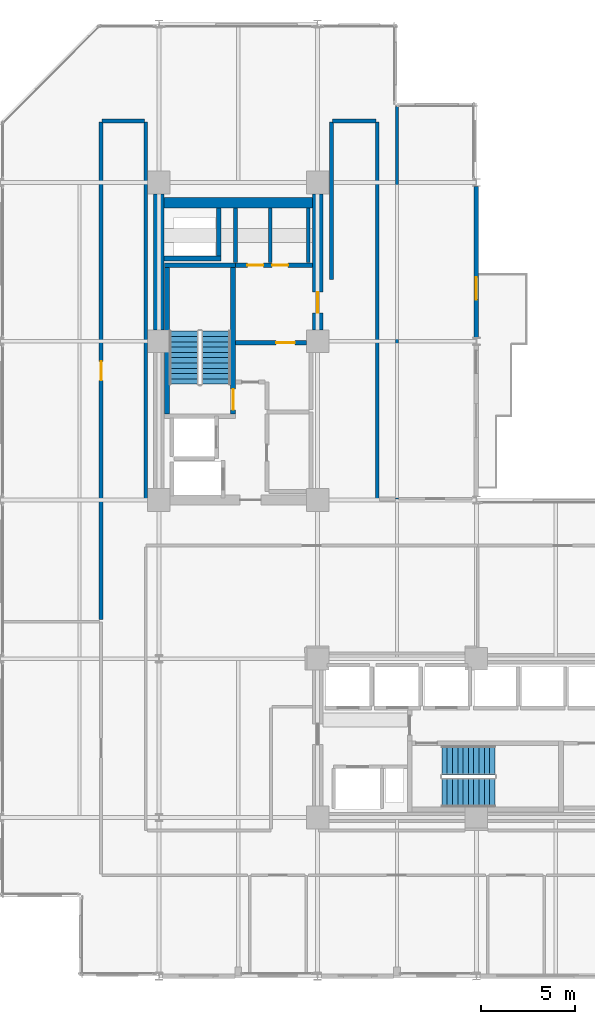
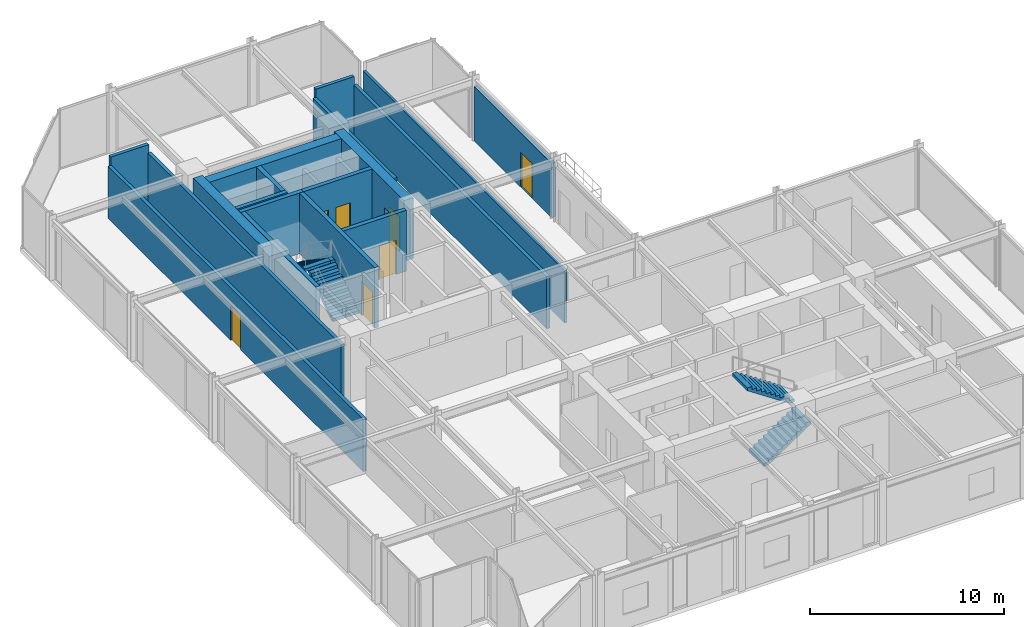
# One storey, part 26 of 29: 21 walls, 7 doors, 4 stair flights, 7 openings, 2 elements without a shape of their own.
"""IFC4 building model written with IfcOpenShell, lengths in metres."""

from ifc_helpers import new_model, si_unit, direction, frame, frame_2d, origin, place, context, subcontext, project, spatial, polyline, rectangle, outline, extrude, material, layer, layer_set, type_object, element, fill, aggregate, save


model = new_model("IFC4")

# Units and contexts
model_context = context("Model", 3, precision=1e-05, world=origin(), true_north=direction((0.0, 1.0)))
body_context = subcontext(model_context, "Body", "Model", "MODEL_VIEW")
ifc_project = project(units=[si_unit("LENGTHUNIT", "METRE"), si_unit("AREAUNIT", "SQUARE_METRE"), si_unit("VOLUMEUNIT", "CUBIC_METRE"), si_unit("PLANEANGLEUNIT", "RADIAN"), si_unit("MASSUNIT", "GRAM", prefix="KILO")], contexts=[model_context])

# Site, building, storey
site_placement = place(None, origin())
site = spatial("IfcSite", under=ifc_project, at=site_placement, CompositionType="ELEMENT")
building_placement = place(site_placement, origin())
building = spatial("IfcBuilding", under=site, at=building_placement, Name="Nerrivon Quay Data Exchange", CompositionType="ELEMENT")
storey_placement = place(building_placement, frame((0.0, 0.0, 125.39990234375)))
storey = spatial("IfcBuildingStorey", under=building, at=storey_placement, Name="L29", CompositionType="ELEMENT", Elevation=125.39990234375)

# Wall, opening, door
ifc_material_1 = material(Name="Architectural terracotta precast concrete N50 (50 MPa)", Category="masonry")
ifc_layer_1 = layer(ifc_material_1, 0.239990234375)
ifc_layer_set_1 = layer_set([ifc_layer_1], Name="Architectural terracotta precast concrete N50 (50 MPa)")
wall_type_1 = type_object("IfcWallType", Name="EW-PREC-240", PredefinedType="STANDARD", material=ifc_layer_set_1)
wall_1_placement = place(storey_placement, frame((25.199951171875, 41.800048828125, 0.0), z_axis=(0.0, 0.0, 1.0), x_axis=(0.0, -1.0, 0.0)))
wall_1 = element("IfcWall", 1, at=wall_1_placement, inside=storey, type_object=wall_type_1, Name="L29 Terrace Host Wall 24", PredefinedType="STANDARD", context=body_context, shape_type="SweptSolid", body=[
    extrude(rectangle(XDim=8.0, YDim=0.239990234375, at=frame_2d((4.0, 0.0))), origin(), (0.0, 0.0, 1.0), 3.422119140625),
])
opening_1_placement = place(wall_1_placement, frame((4.800048828125, 0.0, 0.0)))
opening_1 = element("IfcOpeningElement", 2, at=opening_1_placement, cuts=wall_1, Name="Opening TD1", PredefinedType="OPENING", context=body_context, shape_type="SweptSolid", body=[
    extrude(rectangle(XDim=1.199951171875, YDim=2.199951171875, at=frame_2d((0.60009765625, 1.10009765625))), frame((0.0, 0.1298828125, 0.0), z_axis=(0.0, -1.0, 0.0), x_axis=(1.0, 0.0, 0.0)), (0.0, 0.0, 1.0), 0.260009765625),
])
ifc_material_2 = material(Name="Double-glazed low-E solar control glass", Category="glass")
door_type_1 = type_object("IfcDoorType", Name="DR-TERR-1200x2200", OperationType="NOTDEFINED", PredefinedType="DOOR", material=ifc_material_2)
door_1_placement = place(opening_1_placement, origin())
door_1 = element("IfcDoor", 3, at=door_1_placement, inside=storey, type_object=door_type_1, Name="L29 Outdoor Terrace Access Door 24", OperationType="SINGLE_SWING_LEFT", OverallHeight=2.199951171875, OverallWidth=1.199951171875, PredefinedType="DOOR", context=body_context, shape_type="SweptSolid", body=[
    extrude(rectangle(XDim=1.199951171875, YDim=2.199951171875, at=frame_2d((0.60009765625, 1.10009765625))), frame((0.0, 0.02490234375, 0.0), z_axis=(0.0, -1.0, 0.0), x_axis=(1.0, 0.0, 0.0)), (0.0, 0.0, 1.0), 0.050048828125),
])
fill(opening_1, door_1)

# Walls
ifc_material_3 = material(Name="Concrete S65 (65 MPa)", Category="concrete")
ifc_layer_2 = layer(ifc_material_3, 0.550048828125)
ifc_layer_set_2 = layer_set([ifc_layer_2], Name="Concrete S65 (65 MPa)")
wall_type_2 = type_object("IfcWallType", Name="WALL-CW-700", PredefinedType="SHEAR", material=ifc_layer_set_2)
wall_2_placement = place(storey_placement, frame((8.39990234375, 34.199951171875, 0.0), z_axis=(0.0, 0.0, 1.0), x_axis=(0.0, 1.0, 0.0)))
element("IfcWall", 4, at=wall_2_placement, inside=storey, type_object=wall_type_2, Name="L29 West Split-Core Shear Wall WCW-W2", PredefinedType="SHEAR", context=body_context, shape_type="SweptSolid", body=[
    extrude(rectangle(XDim=7.199951171875, YDim=0.550048828125, at=frame_2d((3.60009765625, 0.0))), origin(), (0.0, 0.0, 1.0), 3.8251953125),
])
wall_3_placement = place(storey_placement, frame((8.675048828125, 40.925048828125, 0.0), z_axis=(0.0, 0.0, 1.0), x_axis=(1.0, 0.0, 0.0)))
element("IfcWall", 5, at=wall_3_placement, inside=storey, type_object=wall_type_2, Name="L29 West Split-Core Shear Wall WCW-N1", PredefinedType="SHEAR", context=body_context, shape_type="SweptSolid", body=[
    extrude(rectangle(XDim=7.849853515625, YDim=0.550048828125, at=frame_2d((3.9248046875, 0.0))), origin(), (0.0, 0.0, 1.0), 3.8251953125),
])

# Wall, opening, door
wall_4_placement = place(storey_placement, frame((16.800048828125, 34.199951171875, 0.0), z_axis=(0.0, 0.0, 1.0), x_axis=(0.0, 1.0, 0.0)))
wall_4 = element("IfcWall", 6, at=wall_4_placement, inside=storey, type_object=wall_type_2, Name="L29 West Split-Core Shear Wall WCW-E1", PredefinedType="SHEAR", context=body_context, shape_type="SweptSolid", body=[
    extrude(rectangle(XDim=7.199951171875, YDim=0.550048828125, at=frame_2d((3.60009765625, 0.0))), origin(), (0.0, 0.0, 1.0), 3.8251953125),
])
opening_2_placement = place(wall_4_placement, frame((0.89990234375, 0.0, 0.0)))
opening_2 = element("IfcOpeningElement", 7, at=opening_2_placement, cuts=wall_4, Name="Opening FD-120", PredefinedType="OPENING", context=body_context, shape_type="SweptSolid", body=[
    extrude(rectangle(XDim=1.10009765625, YDim=2.14990234375, at=frame_2d((0.550048828125, 1.074951171875))), frame((0.0, 0.284912109375, 0.0), z_axis=(0.0, -1.0, 0.0), x_axis=(1.0, 0.0, 0.0)), (0.0, 0.0, 1.0), 0.570068359375),
])
ifc_material_4 = material(Name="Powder-coated galvanized steel sheet", Category="steel")
door_type_2 = type_object("IfcDoorType", Name="DR-FD120-1100", OperationType="NOTDEFINED", PredefinedType="DOOR", material=ifc_material_4)
door_2_placement = place(opening_2_placement, origin())
door_2 = element("IfcDoor", 8, at=door_2_placement, inside=storey, type_object=door_type_2, Name="L29 West Core Lobby Fire Door", OperationType="SINGLE_SWING_RIGHT", OverallHeight=2.14990234375, OverallWidth=1.10009765625, PredefinedType="DOOR", context=body_context, shape_type="SweptSolid", body=[
    extrude(rectangle(XDim=1.10009765625, YDim=2.14990234375, at=frame_2d((0.550048828125, 1.074951171875))), frame((0.0, 0.02490234375, 0.0), z_axis=(0.0, -1.0, 0.0), x_axis=(1.0, 0.0, 0.0)), (0.0, 0.0, 1.0), 0.050048828125),
])
fill(opening_2, door_2)

# Walls
ifc_material_5 = material(Name="Gypsum plasterboard on cold-formed framing", Category="gypsum")
ifc_layer_3 = layer(ifc_material_5, 0.199951171875)
ifc_layer_set_3 = layer_set([ifc_layer_3], Name="Gypsum plasterboard on cold-formed framing")
wall_type_3 = type_object("IfcWallType", Name="WALL-FW-200", PredefinedType="PARTITIONING", material=ifc_layer_set_3)
for number, where, z_axis, x_axis, name in (
    (9, (14.300048828125, 37.780029296875, 0.0), (0.0, 0.0, 1.0), (0.0, 1.0, 0.0), "L29 Partition Cleaners Store"),
    (10, (12.449951171875, 40.64599609375, 0.0), (0.0, 0.0, 1.0), (0.0, -1.0, 0.0), "L29 Partition Cleaners Store"),
    (11, (16.300048828125, 37.780029296875, 0.0), (0.0, 0.0, 1.0), (0.0, 1.0, 0.0), "L29 Partition Janitor Closet"),
):
    element("IfcWall", number, at=place(storey_placement, frame(where, z_axis=z_axis, x_axis=x_axis)), inside=storey, type_object=wall_type_3, Name=name, PredefinedType="PARTITIONING", context=body_context, shape_type="SweptSolid", body=[
        extrude(rectangle(XDim=2.865966796875, YDim=0.199951171875, at=frame_2d((1.43310546875, 0.0))), origin(), (0.0, 0.0, 1.0), 2.72509765625),
    ])
wall_5_placement = place(storey_placement, frame((19.9599609375, 45.199951171875, 0.0), z_axis=(0.0, 0.0, 1.0), x_axis=(0.0, -1.0, 0.0)))
element("IfcWall", 12, at=wall_5_placement, inside=storey, type_object=wall_type_3, Name="L29 Partition Colocation Data Workspace 1", PredefinedType="PARTITIONING", context=body_context, shape_type="SweptSolid", body=[
    extrude(rectangle(XDim=19.93994140625, YDim=0.199951171875, at=frame_2d((9.969970703125, 0.0))), origin(), (0.0, 0.0, 1.0), 3.2919921875),
])

# Wall, opening, door
wall_6_placement = place(storey_placement, frame((5.340087890625, 18.8671875, 0.0), z_axis=(0.0, 0.0, 1.0), x_axis=(0.0, 1.0, 0.0)))
wall_6 = element("IfcWall", 13, at=wall_6_placement, inside=storey, type_object=wall_type_3, Name="L29 Partition Colocation Data Workspace 1", PredefinedType="PARTITIONING", context=body_context, shape_type="SweptSolid", body=[
    extrude(rectangle(XDim=26.332763671875, YDim=0.199951171875, at=frame_2d((13.16650390625, 0.0))), origin(), (0.0, 0.0, 1.0), 3.2919921875),
])
opening_3_placement = place(wall_6_placement, frame((12.66650390625, 0.0, 0.0)))
opening_3 = element("IfcOpeningElement", 14, at=opening_3_placement, cuts=wall_6, Name="Opening FD-60", PredefinedType="OPENING", context=body_context, shape_type="SweptSolid", body=[
    extrude(rectangle(XDim=1.0, YDim=2.14990234375, at=frame_2d((0.5, 1.074951171875))), frame((0.0, 0.10986328125, 0.0), z_axis=(0.0, -1.0, 0.0), x_axis=(1.0, 0.0, 0.0)), (0.0, 0.0, 1.0), 0.219970703125),
])
ifc_material_6 = material(Name="Engineered hardwood timber", Category="wood")
door_type_3 = type_object("IfcDoorType", Name="DR-FD60-1000", OperationType="NOTDEFINED", PredefinedType="DOOR", material=ifc_material_6)
door_3_placement = place(opening_3_placement, origin())
door_3 = element("IfcDoor", 15, at=door_3_placement, inside=storey, type_object=door_type_3, Name="L29 Door Colocation Data Workspace 1", OperationType="SINGLE_SWING_RIGHT", OverallHeight=2.14990234375, OverallWidth=1.0, PredefinedType="DOOR", context=body_context, shape_type="SweptSolid", body=[
    extrude(rectangle(XDim=1.0, YDim=2.14990234375, at=frame_2d((0.5, 1.074951171875))), frame((0.0, 0.02490234375, 0.0), z_axis=(0.0, -1.0, 0.0), x_axis=(1.0, 0.0, 0.0)), (0.0, 0.0, 1.0), 0.050048828125),
])
fill(opening_3, door_3)

# Walls
wall_7_placement = place(storey_placement, frame((5.39990234375, 45.260009765625, 0.0), z_axis=(0.0, 0.0, 1.0), x_axis=(1.0, 0.0, 0.0)))
element("IfcWall", 16, at=wall_7_placement, inside=storey, type_object=wall_type_3, Name="L29 Partition Colocation Data Workspace 1", PredefinedType="PARTITIONING", context=body_context, shape_type="SweptSolid", body=[
    extrude(rectangle(XDim=2.25, YDim=0.199951171875, at=frame_2d((1.125, 0.0))), origin(), (0.0, 0.0, 1.0), 3.8251953125),
])
wall_8_placement = place(storey_placement, frame((7.709716796875, 45.205810546875, 0.0), z_axis=(0.0, 0.0, 1.0), x_axis=(1.2240202e-05, -0.999999999925, 0.0)))
element("IfcWall", 17, at=wall_8_placement, inside=storey, type_object=wall_type_3, Name="L29 Partition Colocation Data Workspace 1", PredefinedType="PARTITIONING", context=body_context, shape_type="SweptSolid", body=[
    extrude(rectangle(XDim=19.94580078125, YDim=0.199951171875, at=frame_2d((9.972900390625, 0.0))), origin(), (0.0, 0.0, 1.0), 3.2919921875),
])
wall_9_placement = place(storey_placement, frame((17.5400390625, 36.860107421875, 0.0), z_axis=(0.0, 0.0, 1.0), x_axis=(0.0, 1.0, 0.0)))
element("IfcWall", 18, at=wall_9_placement, inside=storey, type_object=wall_type_3, Name="L29 Partition Colocation Data Workspace 1", PredefinedType="PARTITIONING", context=body_context, shape_type="SweptSolid", body=[
    extrude(rectangle(XDim=8.33984375, YDim=0.199951171875, at=frame_2d((4.169921875, 0.0))), origin(), (0.0, 0.0, 1.0), 3.2919921875),
])
wall_10_placement = place(storey_placement, frame((17.60009765625, 45.260009765625, 0.0), z_axis=(0.0, 0.0, 1.0), x_axis=(1.0, 0.0, 0.0)))
element("IfcWall", 19, at=wall_10_placement, inside=storey, type_object=wall_type_3, Name="L29 Partition Colocation Data Workspace 1", PredefinedType="PARTITIONING", context=body_context, shape_type="SweptSolid", body=[
    extrude(rectangle(XDim=2.2998046875, YDim=0.199951171875, at=frame_2d((1.14990234375, 0.0))), origin(), (0.0, 0.0, 1.0), 3.8251953125),
])
ifc_layer_4 = layer(ifc_material_5, 0.14990234375)
ifc_layer_set_4 = layer_set([ifc_layer_4], Name="Gypsum plasterboard on cold-formed framing")
wall_type_4 = type_object("IfcWallType", Name="WALL-PT-150", PredefinedType="PARTITIONING", material=ifc_layer_set_4)
wall_11_placement = place(storey_placement, frame((21.0, 46.031005859375, 0.0), z_axis=(0.0, 0.0, 1.0), x_axis=(0.0, -1.0, 0.0)))
element("IfcWall", 20, at=wall_11_placement, inside=storey, type_object=wall_type_4, Name="L29 Partition Technical Library", PredefinedType="PARTITIONING", context=body_context, shape_type="SweptSolid", body=[
    extrude(rectangle(XDim=20.77099609375, YDim=0.14990234375, at=frame_2d((10.385498046875, 0.0))), origin(), (0.0, 0.0, 1.0), 3.2919921875),
])
ifc_material_7 = material(Name="Concrete N50 (50 MPa)", Category="concrete")
ifc_layer_5 = layer(ifc_material_7, 0.25)
ifc_layer_set_5 = layer_set([ifc_layer_5], Name="Concrete N50 (50 MPa)")
wall_type_5 = type_object("IfcWallType", Name="WALL-SW-250", PredefinedType="SHEAR", material=ifc_layer_set_5)
wall_12_placement = place(storey_placement, frame((12.449951171875, 37.625, 0.0), z_axis=(0.0, 0.0, 1.0), x_axis=(-1.0, 0.0, 0.0)))
element("IfcWall", 21, at=wall_12_placement, inside=storey, type_object=wall_type_5, Name="L29 ST01 Structural Stair Core Wall FAR", PredefinedType="SHEAR", context=body_context, shape_type="SweptSolid", body=[
    extrude(rectangle(XDim=3.75, YDim=0.25, at=frame_2d((1.875, 0.0))), origin(), (0.0, 0.0, 1.0), 3.8251953125),
])

# Wall, opening, door
wall_13_placement = place(storey_placement, frame((12.324951171875, 29.75, 0.0), z_axis=(0.0, 0.0, 1.0), x_axis=(0.0, 1.0, 0.0)))
wall_13 = element("IfcWall", 22, at=wall_13_placement, inside=storey, type_object=wall_type_5, Name="L29 ST01 Structural Stair Core Wall LEFT", PredefinedType="SHEAR", context=body_context, shape_type="SweptSolid", body=[
    extrude(rectangle(XDim=7.75, YDim=0.25, at=frame_2d((3.875, 0.0))), origin(), (0.0, 0.0, 1.0), 3.8251953125),
])
opening_4_placement = place(wall_13_placement, frame((0.219970703125, 0.0, 0.0)))
opening_4 = element("IfcOpeningElement", 23, at=opening_4_placement, cuts=wall_13, Name="Opening FD-120", PredefinedType="OPENING", context=body_context, shape_type="SweptSolid", body=[
    extrude(rectangle(XDim=1.10009765625, YDim=2.14990234375, at=frame_2d((0.550048828125, 1.074951171875))), frame((0.0, 0.135009765625, 0.0), z_axis=(0.0, -1.0, 0.0), x_axis=(1.0, 0.0, 0.0)), (0.0, 0.0, 1.0), 0.27001953125),
])
door_4_placement = place(opening_4_placement, origin())
door_4 = element("IfcDoor", 24, at=door_4_placement, inside=storey, type_object=door_type_2, Name="L29 Protected Stair Door ST01", OperationType="SINGLE_SWING_RIGHT", OverallHeight=2.14990234375, OverallWidth=1.10009765625, PredefinedType="DOOR", context=body_context, shape_type="SweptSolid", body=[
    extrude(rectangle(XDim=1.10009765625, YDim=2.14990234375, at=frame_2d((0.550048828125, 1.074951171875))), frame((0.0, 0.02490234375, 0.0), z_axis=(0.0, -1.0, 0.0), x_axis=(1.0, 0.0, 0.0)), (0.0, 0.0, 1.0), 0.050048828125),
])
fill(opening_4, door_4)

# Walls
wall_14_placement = place(storey_placement, frame((8.824951171875, 29.75, 0.0), z_axis=(0.0, 0.0, 1.0), x_axis=(0.0, 1.0, 0.0)))
element("IfcWall", 25, at=wall_14_placement, inside=storey, type_object=wall_type_5, Name="L29 ST01 Structural Stair Core Wall RIGHT", PredefinedType="SHEAR", context=body_context, shape_type="SweptSolid", body=[
    extrude(rectangle(XDim=7.75, YDim=0.25, at=frame_2d((3.875, 0.0))), origin(), (0.0, 0.0, 1.0), 3.8251953125),
])
wall_15_placement = place(storey_placement, frame((8.675048828125, 37.97509765625, 0.0), z_axis=(0.0, 0.0, 1.0), x_axis=(1.0, 0.0, 0.0)))
element("IfcWall", 26, at=wall_15_placement, inside=storey, type_object=wall_type_5, Name="L29 West Core MEP Riser Shaft Wall S", PredefinedType="SHEAR", context=body_context, shape_type="SweptSolid", body=[
    extrude(rectangle(XDim=3.02490234375, YDim=0.25, at=frame_2d((1.512451171875, 0.0))), origin(), (0.0, 0.0, 1.0), 3.8251953125),
])
wall_16_placement = place(storey_placement, frame((11.574951171875, 38.10009765625, 0.0), z_axis=(0.0, 0.0, 1.0), x_axis=(0.0, 1.0, 0.0)))
element("IfcWall", 27, at=wall_16_placement, inside=storey, type_object=wall_type_5, Name="L29 West Core MEP Riser Shaft Wall E", PredefinedType="SHEAR", context=body_context, shape_type="SweptSolid", body=[
    extrude(rectangle(XDim=2.5498046875, YDim=0.25, at=frame_2d((1.27490234375, 0.0))), origin(), (0.0, 0.0, 1.0), 3.8251953125),
])

# Wall, opening, door
wall_17_placement = place(storey_placement, frame((12.449951171875, 33.52001953125, 0.0), z_axis=(0.0, 0.0, 1.0), x_axis=(1.0, 0.0, 0.0)))
wall_17 = element("IfcWall", 28, at=wall_17_placement, inside=storey, type_object=wall_type_5, Name="L29 West Lobby Smoke-Stop Wall", PredefinedType="SHEAR", context=body_context, shape_type="SweptSolid", body=[
    extrude(rectangle(XDim=3.75, YDim=0.25, at=frame_2d((1.875, 0.0))), origin(), (0.0, 0.0, 1.0), 3.8251953125),
])
opening_5_placement = place(wall_17_placement, frame((2.14990234375, 0.0, 0.0)))
opening_5 = element("IfcOpeningElement", 29, at=opening_5_placement, cuts=wall_17, Name="Opening FD-60", PredefinedType="OPENING", context=body_context, shape_type="SweptSolid", body=[
    extrude(rectangle(XDim=1.0, YDim=2.14990234375, at=frame_2d((0.5, 1.074951171875))), frame((0.0, 0.135009765625, 0.0), z_axis=(0.0, -1.0, 0.0), x_axis=(1.0, 0.0, 0.0)), (0.0, 0.0, 1.0), 0.27001953125),
])
door_5_placement = place(opening_5_placement, origin())
door_5 = element("IfcDoor", 30, at=door_5_placement, inside=storey, type_object=door_type_3, Name="L29 West Firefighting Lobby Fire Door", OperationType="SINGLE_SWING_RIGHT", OverallHeight=2.14990234375, OverallWidth=1.0, PredefinedType="DOOR", context=body_context, shape_type="SweptSolid", body=[
    extrude(rectangle(XDim=1.0, YDim=2.14990234375, at=frame_2d((0.5, 1.074951171875))), frame((0.0, 0.02490234375, 0.0), z_axis=(0.0, -1.0, 0.0), x_axis=(1.0, 0.0, 0.0)), (0.0, 0.0, 1.0), 0.050048828125),
])
fill(opening_5, door_5)

# Wall, openings, doors
wall_18_placement = place(storey_placement, frame((12.449951171875, 37.625, 0.0), z_axis=(0.0, 0.0, 1.0), x_axis=(1.0, 0.0, 0.0)))
wall_18 = element("IfcWall", 31, at=wall_18_placement, inside=storey, type_object=wall_type_5, Name="L29 West Firefighting Lobby Wall", PredefinedType="SHEAR", context=body_context, shape_type="SweptSolid", body=[
    extrude(rectangle(XDim=4.074951171875, YDim=0.25, at=frame_2d((2.03759765625, 0.0))), origin(), (0.0, 0.0, 1.0), 3.8251953125),
])
opening_6_placement = place(wall_18_placement, frame((0.634521484375, 0.0, 0.0)))
opening_6 = element("IfcOpeningElement", 32, at=opening_6_placement, cuts=wall_18, Name="Opening FD-60S", PredefinedType="OPENING", context=body_context, shape_type="SweptSolid", body=[
    extrude(rectangle(XDim=0.85009765625, YDim=2.14990234375, at=frame_2d((0.425048828125, 1.074951171875))), frame((0.0, 0.135009765625, 0.0), z_axis=(0.0, -1.0, 0.0), x_axis=(1.0, 0.0, 0.0)), (0.0, 0.0, 1.0), 0.27001953125),
])
opening_7_placement = place(wall_18_placement, frame((1.9384765625, 0.0, 0.0)))
opening_7 = element("IfcOpeningElement", 33, at=opening_7_placement, cuts=wall_18, Name="Opening FD-60S", PredefinedType="OPENING", context=body_context, shape_type="SweptSolid", body=[
    extrude(rectangle(XDim=0.85009765625, YDim=2.14990234375, at=frame_2d((0.425048828125, 1.074951171875))), frame((0.0, 0.135009765625, 0.0), z_axis=(0.0, -1.0, 0.0), x_axis=(1.0, 0.0, 0.0)), (0.0, 0.0, 1.0), 0.27001953125),
])
door_type_4 = type_object("IfcDoorType", Name="DR-FD60-850", OperationType="NOTDEFINED", PredefinedType="DOOR", material=ifc_material_6)
door_6_placement = place(opening_6_placement, origin())
door_6 = element("IfcDoor", 34, at=door_6_placement, inside=storey, type_object=door_type_4, Name="L29 Door Cleaners Store", OperationType="SINGLE_SWING_RIGHT", OverallHeight=2.14990234375, OverallWidth=0.85009765625, PredefinedType="DOOR", context=body_context, shape_type="SweptSolid", body=[
    extrude(rectangle(XDim=0.85009765625, YDim=2.14990234375, at=frame_2d((0.425048828125, 1.074951171875))), frame((0.0, 0.02490234375, 0.0), z_axis=(0.0, -1.0, 0.0), x_axis=(1.0, 0.0, 0.0)), (0.0, 0.0, 1.0), 0.050048828125),
])
fill(opening_6, door_6)
door_7_placement = place(opening_7_placement, origin())
door_7 = element("IfcDoor", 35, at=door_7_placement, inside=storey, type_object=door_type_4, Name="L29 Door Janitor Closet", OperationType="SINGLE_SWING_LEFT", OverallHeight=2.14990234375, OverallWidth=0.85009765625, PredefinedType="DOOR", context=body_context, shape_type="SweptSolid", body=[
    extrude(rectangle(XDim=0.85009765625, YDim=2.14990234375, at=frame_2d((0.425048828125, 1.074951171875))), frame((0.0, 0.02490234375, 0.0), z_axis=(0.0, -1.0, 0.0), x_axis=(1.0, 0.0, 0.0)), (0.0, 0.0, 1.0), 0.050048828125),
])
fill(opening_7, door_7)

# Stair, stair flights
stair_type = type_object("IfcStairType", Name="STAIR-DOG-41", PredefinedType="HALF_TURN_STAIR", material=ifc_material_7)
stair_1_placement = place(storey_placement, origin())
stair_1 = element("IfcStair", 36, at=stair_1_placement, inside=storey, type_object=stair_type, Name="L29 West Core Fire Stair ST01", PredefinedType="HALF_TURN_STAIR")
stair_flight_type = type_object("IfcStairFlightType", Name="FLIGHT-DOG-41", PredefinedType="STRAIGHT", material=ifc_material_7)
stair_flight_1_placement = place(storey_placement, frame((11.425048828125, 31.330078125, 0.0), z_axis=(0.0, 0.0, 1.0), x_axis=(0.0, 1.0, 0.0)))
stair_flight_1 = element("IfcStairFlight", 37, at=stair_flight_1_placement, type_object=stair_flight_type, Name="ST01 flight 1", NumberOfRisers=11, NumberOfTreads=10, PredefinedType="STRAIGHT", RiserHeight=0.186363636, TreadLength=0.28, context=body_context, shape_type="SweptSolid", body=[
    extrude(outline(polyline([(0.0, 0.0), (0.0, 0.186279296875), (0.280029296875, 0.186279296875), (0.280029296875, 0.372802734375), (0.56005859375, 0.372802734375), (0.56005859375, 0.55908203125), (0.840087890625, 0.55908203125), (0.840087890625, 0.745361328125), (1.1201171875, 0.745361328125), (1.1201171875, 0.931884765625), (1.39990234375, 0.931884765625), (1.39990234375, 1.1181640625), (1.679931640625, 1.1181640625), (1.679931640625, 1.304443359375), (1.9599609375, 1.304443359375), (1.9599609375, 1.490966796875), (2.239990234375, 1.490966796875), (2.239990234375, 1.67724609375), (2.52001953125, 1.67724609375), (2.52001953125, 1.863525390625), (2.800048828125, 1.863525390625), (2.800048828125, 2.050048828125), (2.800048828125, 1.68359375), (0.2705078125, 0.0), (0.0, 0.0)])), frame((0.0, 0.77490234375, 0.0), z_axis=(0.0, -1.0, 0.0), x_axis=(1.0, 0.0, 0.0)), (0.0, 0.0, 1.0), 1.550048828125),
])
stair_flight_2_placement = place(storey_placement, frame((9.72509765625, 34.1298828125, 2.050048828125), z_axis=(0.0, 0.0, 1.0), x_axis=(0.0, -1.0, 0.0)))
stair_flight_2 = element("IfcStairFlight", 38, at=stair_flight_2_placement, type_object=stair_flight_type, Name="ST01 flight 2", NumberOfRisers=11, NumberOfTreads=10, PredefinedType="STRAIGHT", RiserHeight=0.186363636, TreadLength=0.28, context=body_context, shape_type="SweptSolid", body=[
    extrude(outline(polyline([(0.0, 0.0), (0.0, 0.186279296875), (0.280029296875, 0.186279296875), (0.280029296875, 0.372802734375), (0.56005859375, 0.372802734375), (0.56005859375, 0.55908203125), (0.840087890625, 0.55908203125), (0.840087890625, 0.745361328125), (1.1201171875, 0.745361328125), (1.1201171875, 0.931884765625), (1.39990234375, 0.931884765625), (1.39990234375, 1.1181640625), (1.679931640625, 1.1181640625), (1.679931640625, 1.304443359375), (1.9599609375, 1.304443359375), (1.9599609375, 1.490966796875), (2.239990234375, 1.490966796875), (2.239990234375, 1.67724609375), (2.52001953125, 1.67724609375), (2.52001953125, 1.863525390625), (2.800048828125, 1.863525390625), (2.800048828125, 2.050048828125), (2.800048828125, 1.68359375), (0.2705078125, 0.0), (0.0, 0.0)])), frame((0.0, 0.77490234375, 0.0), z_axis=(0.0, -1.0, 0.0), x_axis=(1.0, 0.0, 0.0)), (0.0, 0.0, 1.0), 1.550048828125),
])
aggregate(stair_1, [stair_flight_1, stair_flight_2])

stair_2_placement = place(storey_placement, origin())
stair_2 = element("IfcStair", 39, at=stair_2_placement, inside=storey, type_object=stair_type, Name="L29 East Core Fire Stair ST02", PredefinedType="HALF_TURN_STAIR")
stair_flight_3_placement = place(storey_placement, frame((23.3798828125, 9.72509765625, 0.0), z_axis=(0.0, 0.0, 1.0), x_axis=(1.0, 0.0, 0.0)))
stair_flight_3 = element("IfcStairFlight", 40, at=stair_flight_3_placement, type_object=stair_flight_type, Name="ST02 flight 1", NumberOfRisers=11, NumberOfTreads=10, PredefinedType="STRAIGHT", RiserHeight=0.186363636, TreadLength=0.28, context=body_context, shape_type="SweptSolid", body=[
    extrude(outline(polyline([(0.0, 0.0), (0.0, 0.186279296875), (0.280029296875, 0.186279296875), (0.280029296875, 0.372802734375), (0.56005859375, 0.372802734375), (0.56005859375, 0.55908203125), (0.840087890625, 0.55908203125), (0.840087890625, 0.745361328125), (1.1201171875, 0.745361328125), (1.1201171875, 0.931884765625), (1.39990234375, 0.931884765625), (1.39990234375, 1.1181640625), (1.679931640625, 1.1181640625), (1.679931640625, 1.304443359375), (1.9599609375, 1.304443359375), (1.9599609375, 1.490966796875), (2.239990234375, 1.490966796875), (2.239990234375, 1.67724609375), (2.52001953125, 1.67724609375), (2.52001953125, 1.863525390625), (2.800048828125, 1.863525390625), (2.800048828125, 2.050048828125), (2.800048828125, 1.68359375), (0.2705078125, 0.0), (0.0, 0.0)])), frame((0.0, 0.77490234375, 0.0), z_axis=(0.0, -1.0, 0.0), x_axis=(1.0, 0.0, 0.0)), (0.0, 0.0, 1.0), 1.550048828125),
])
stair_flight_4_placement = place(storey_placement, frame((26.179931640625, 11.425048828125, 2.050048828125), z_axis=(0.0, 0.0, 1.0), x_axis=(-1.0, 0.0, 0.0)))
stair_flight_4 = element("IfcStairFlight", 41, at=stair_flight_4_placement, type_object=stair_flight_type, Name="ST02 flight 2", NumberOfRisers=11, NumberOfTreads=10, PredefinedType="STRAIGHT", RiserHeight=0.186363636, TreadLength=0.28, context=body_context, shape_type="SweptSolid", body=[
    extrude(outline(polyline([(0.0, 0.0), (0.0, 0.186279296875), (0.280029296875, 0.186279296875), (0.280029296875, 0.372802734375), (0.56005859375, 0.372802734375), (0.56005859375, 0.55908203125), (0.840087890625, 0.55908203125), (0.840087890625, 0.745361328125), (1.1201171875, 0.745361328125), (1.1201171875, 0.931884765625), (1.39990234375, 0.931884765625), (1.39990234375, 1.1181640625), (1.679931640625, 1.1181640625), (1.679931640625, 1.304443359375), (1.9599609375, 1.304443359375), (1.9599609375, 1.490966796875), (2.239990234375, 1.490966796875), (2.239990234375, 1.67724609375), (2.52001953125, 1.67724609375), (2.52001953125, 1.863525390625), (2.800048828125, 1.863525390625), (2.800048828125, 2.050048828125), (2.800048828125, 1.68359375), (0.2705078125, 0.0), (0.0, 0.0)])), frame((0.0, 0.77490234375, 0.0), z_axis=(0.0, -1.0, 0.0), x_axis=(1.0, 0.0, 0.0)), (0.0, 0.0, 1.0), 1.550048828125),
])
aggregate(stair_2, [stair_flight_3, stair_flight_4])

save(model, "model.ifc")
